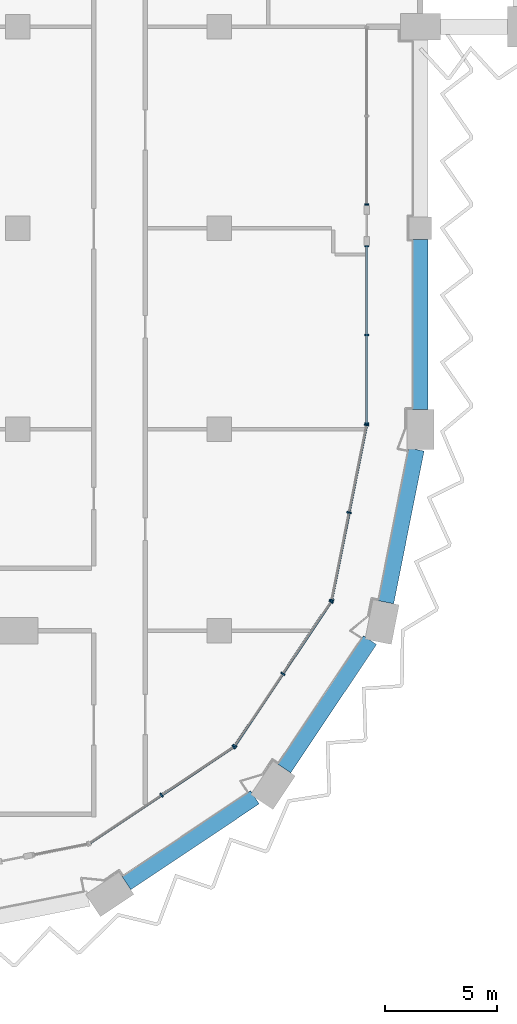
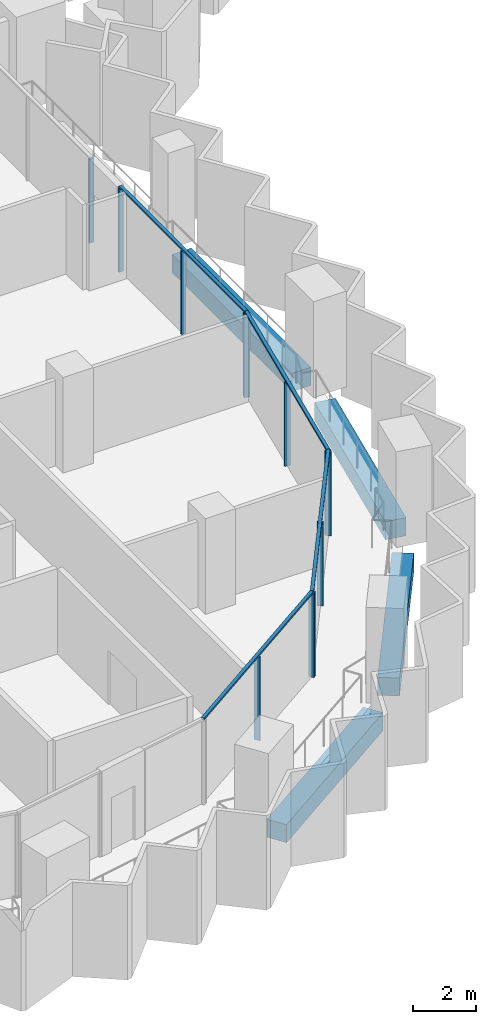
# One storey, part 3 of 17: 16 members, 4 beams, 5 elements without a shape of their own.
"""IFC4 building model written with IfcOpenShell, lengths in metres."""

from ifc_helpers import new_model, si_unit, direction, frame, origin, origin_2d, place, context, subcontext, project, spatial, rectangle, extrude, material, material_profile, profile_set, type_object, element, aggregate, save


model = new_model("IFC4")

# Units and contexts
model_context = context("Model", 3, precision=1e-05, world=origin(), true_north=direction((0.0, 1.0)))
body_context = subcontext(model_context, "Body", "Model", "MODEL_VIEW")
ifc_project = project(units=[si_unit("LENGTHUNIT", "METRE"), si_unit("AREAUNIT", "SQUARE_METRE"), si_unit("VOLUMEUNIT", "CUBIC_METRE"), si_unit("PLANEANGLEUNIT", "RADIAN"), si_unit("MASSUNIT", "GRAM", prefix="KILO")], contexts=[model_context])

# Site, building, storey
site_placement = place(None, origin())
site = spatial("IfcSite", under=ifc_project, at=site_placement, CompositionType="ELEMENT")
building_placement = place(site_placement, origin())
building = spatial("IfcBuilding", under=site, at=building_placement, Name="Hunhe Ridgeline Campus", CompositionType="ELEMENT")
storey_placement = place(building_placement, frame((0.0, 0.0, 212.39990234375)))
storey = spatial("IfcBuildingStorey", under=building, at=storey_placement, Name="L54", CompositionType="ELEMENT", Elevation=212.39990234375)

# Curtain wall, members
ifc_material_1 = material(Name="Aluminium 6063", Category="aluminium")
curtain_wall_type_1 = type_object("IfcCurtainWallType", Name="Curtain wall CW-1", PredefinedType="NOTDEFINED", material=ifc_material_1)
curtain_wall_1_placement = place(storey_placement, origin())
curtain_wall_1 = element("IfcCurtainWall", 1, at=curtain_wall_1_placement, inside=storey, type_object=curtain_wall_type_1, Name="Curtain wall 11", PredefinedType="NOTDEFINED")
ifc_material_profile_1 = material_profile(ifc_material_1, rectangle(XDim=0.159912109375, YDim=0.06005859375, at=origin_2d()))
ifc_profile_set_1 = profile_set([ifc_material_profile_1], Name="Aluminium 6063")
member_type_1 = type_object("IfcMemberType", Name="CW-1 aluminium mullion", PredefinedType="MULLION", material=ifc_profile_set_1)
member_1_placement = place(storey_placement, frame((42.59912109375, 36.266357421875, 0.0), z_axis=(0.0, 0.0, 1.0), x_axis=(-0.999999999978, 6.639948e-06, 0.0)))
member_1 = element("IfcMember", 2, at=member_1_placement, type_object=member_type_1, Name="CW-1 mullion 1", PredefinedType="MULLION", context=body_context, shape_type="SweptSolid", body=[
    extrude(rectangle(XDim=0.159912109375, YDim=0.06005859375, at=origin_2d()), origin(), (0.0, 0.0, 1.0), 3.239990234375),
])
member_2_placement = place(storey_placement, frame((42.59912109375, 40.2275390625, 0.0), z_axis=(0.0, 0.0, 1.0), x_axis=(-0.999999999978, 6.639948e-06, 0.0)))
member_2 = element("IfcMember", 3, at=member_2_placement, type_object=member_type_1, Name="CW-1 mullion 2", PredefinedType="MULLION", context=body_context, shape_type="SweptSolid", body=[
    extrude(rectangle(XDim=0.159912109375, YDim=0.06005859375, at=origin_2d()), origin(), (0.0, 0.0, 1.0), 3.239990234375),
])
member_3_placement = place(storey_placement, frame((42.59912109375, 44.1884765625, 0.0), z_axis=(0.0, 0.0, 1.0), x_axis=(-0.999999999978, 6.639948e-06, 0.0)))
member_3 = element("IfcMember", 4, at=member_3_placement, type_object=member_type_1, Name="CW-1 mullion 3", PredefinedType="MULLION", context=body_context, shape_type="SweptSolid", body=[
    extrude(rectangle(XDim=0.159912109375, YDim=0.06005859375, at=origin_2d()), origin(), (0.0, 0.0, 1.0), 3.239990234375),
])

# Curtain wall, member
curtain_wall_2_placement = place(storey_placement, origin())
curtain_wall_2 = element("IfcCurtainWall", 5, at=curtain_wall_2_placement, inside=storey, type_object=curtain_wall_type_1, Name="Curtain wall 12", PredefinedType="NOTDEFINED")
member_4_placement = place(storey_placement, frame((42.59912109375, 46.048583984375, 0.0), z_axis=(0.0, 0.0, 1.0), x_axis=(-0.999999999978, 6.639948e-06, 0.0)))
member_4 = element("IfcMember", 6, at=member_4_placement, type_object=member_type_1, Name="CW-1 mullion 1", PredefinedType="MULLION", context=body_context, shape_type="SweptSolid", body=[
    extrude(rectangle(XDim=0.159912109375, YDim=0.06005859375, at=origin_2d()), origin(), (0.0, 0.0, 1.0), 3.239990234375),
])
aggregate(curtain_wall_2, [member_4])

# Member
ifc_material_profile_2 = material_profile(ifc_material_1, rectangle(XDim=0.1201171875, YDim=0.06005859375, at=origin_2d()))
ifc_profile_set_2 = profile_set([ifc_material_profile_2], Name="Aluminium 6063")
member_type_2 = type_object("IfcMemberType", Name="CW-1 aluminium transom", PredefinedType="USERDEFINED", material=ifc_profile_set_2)
member_5_placement = place(storey_placement, frame((42.59912109375, 36.236572265625, 3.27001953125), z_axis=(0.0, 1.0, 0.0), x_axis=(-1.0, 0.0, 0.0)))
member_5 = element("IfcMember", 7, at=member_5_placement, type_object=member_type_2, Name="CW-1 transom 1", ObjectType="TRANSOM", PredefinedType="USERDEFINED", context=body_context, shape_type="SweptSolid", body=[
    extrude(rectangle(XDim=0.1201171875, YDim=0.06005859375, at=origin_2d()), origin(), (0.0, 0.0, 1.0), 7.98193359375),
])

aggregate(curtain_wall_1, [member_5, member_1, member_2, member_3])

# Curtain wall, members
curtain_wall_type_2 = type_object("IfcCurtainWallType", Name="Curtain wall CW-5", PredefinedType="NOTDEFINED", material=ifc_material_1)
curtain_wall_3_placement = place(storey_placement, origin())
curtain_wall_3 = element("IfcCurtainWall", 8, at=curtain_wall_3_placement, inside=storey, type_object=curtain_wall_type_2, Name="Curtain wall 08", PredefinedType="NOTDEFINED")
ifc_material_profile_3 = material_profile(ifc_material_1, rectangle(XDim=0.199951171875, YDim=0.070068359375, at=origin_2d()))
ifc_profile_set_3 = profile_set([ifc_material_profile_3], Name="Aluminium 6063")
member_type_3 = type_object("IfcMemberType", Name="CW-5 aluminium mullion", PredefinedType="MULLION", material=ifc_profile_set_3)
member_6_placement = place(storey_placement, frame((33.42626953125, 19.647705078125, 0.0), z_axis=(0.0, 0.0, 1.0), x_axis=(-0.555570274596, 0.831469584522, 0.0)))
member_6 = element("IfcMember", 9, at=member_6_placement, type_object=member_type_3, Name="CW-5 mullion 2", PredefinedType="MULLION", context=body_context, shape_type="SweptSolid", body=[
    extrude(rectangle(XDim=0.199951171875, YDim=0.070068359375, at=origin_2d()), origin(), (0.0, 0.0, 1.0), 3.22998046875),
])
member_7_placement = place(storey_placement, frame((36.649658203125, 21.8017578125, 0.0), z_axis=(0.0, 0.0, 1.0), x_axis=(-0.555570274596, 0.831469584522, 0.0)))
member_7 = element("IfcMember", 10, at=member_7_placement, type_object=member_type_3, Name="CW-5 mullion 3", PredefinedType="MULLION", context=body_context, shape_type="SweptSolid", body=[
    extrude(rectangle(XDim=0.199951171875, YDim=0.070068359375, at=origin_2d()), origin(), (0.0, 0.0, 1.0), 3.22998046875),
])

curtain_wall_4_placement = place(storey_placement, origin())
curtain_wall_4 = element("IfcCurtainWall", 11, at=curtain_wall_4_placement, inside=storey, type_object=curtain_wall_type_2, Name="Curtain wall 09", PredefinedType="NOTDEFINED")
member_8_placement = place(storey_placement, frame((36.6982421875, 21.850341796875, 0.0), z_axis=(0.0, 0.0, 1.0), x_axis=(-0.831469584522, 0.555570274596, 0.0)))
member_8 = element("IfcMember", 12, at=member_8_placement, type_object=member_type_3, Name="CW-5 mullion 1", PredefinedType="MULLION", context=body_context, shape_type="SweptSolid", body=[
    extrude(rectangle(XDim=0.199951171875, YDim=0.070068359375, at=origin_2d()), origin(), (0.0, 0.0, 1.0), 3.22998046875),
])
member_9_placement = place(storey_placement, frame((38.852294921875, 25.07373046875, 0.0), z_axis=(0.0, 0.0, 1.0), x_axis=(-0.831469584522, 0.555570274596, 0.0)))
member_9 = element("IfcMember", 13, at=member_9_placement, type_object=member_type_3, Name="CW-5 mullion 2", PredefinedType="MULLION", context=body_context, shape_type="SweptSolid", body=[
    extrude(rectangle(XDim=0.199951171875, YDim=0.070068359375, at=origin_2d()), origin(), (0.0, 0.0, 1.0), 3.22998046875),
])
member_10_placement = place(storey_placement, frame((41.006103515625, 28.29736328125, 0.0), z_axis=(0.0, 0.0, 1.0), x_axis=(-0.831469584522, 0.555570274596, 0.0)))
member_10 = element("IfcMember", 14, at=member_10_placement, type_object=member_type_3, Name="CW-5 mullion 3", PredefinedType="MULLION", context=body_context, shape_type="SweptSolid", body=[
    extrude(rectangle(XDim=0.199951171875, YDim=0.070068359375, at=origin_2d()), origin(), (0.0, 0.0, 1.0), 3.22998046875),
])

curtain_wall_5_placement = place(storey_placement, origin())
curtain_wall_5 = element("IfcCurtainWall", 15, at=curtain_wall_5_placement, inside=storey, type_object=curtain_wall_type_2, Name="Curtain wall 10", PredefinedType="NOTDEFINED")
member_11_placement = place(storey_placement, frame((41.032470703125, 28.36083984375, 0.0), z_axis=(0.0, 0.0, 1.0), x_axis=(-0.980785284939, 0.195090299215, 0.0)))
member_11 = element("IfcMember", 16, at=member_11_placement, type_object=member_type_3, Name="CW-5 mullion 1", PredefinedType="MULLION", context=body_context, shape_type="SweptSolid", body=[
    extrude(rectangle(XDim=0.199951171875, YDim=0.070068359375, at=origin_2d()), origin(), (0.0, 0.0, 1.0), 3.22998046875),
])
member_12_placement = place(storey_placement, frame((41.812255859375, 32.281494140625, 0.0), z_axis=(0.0, 0.0, 1.0), x_axis=(-0.980785284939, 0.195090299215, 0.0)))
member_12 = element("IfcMember", 17, at=member_12_placement, type_object=member_type_3, Name="CW-5 mullion 2", PredefinedType="MULLION", context=body_context, shape_type="SweptSolid", body=[
    extrude(rectangle(XDim=0.199951171875, YDim=0.070068359375, at=origin_2d()), origin(), (0.0, 0.0, 1.0), 3.22998046875),
])
member_13_placement = place(storey_placement, frame((42.59228515625, 36.2021484375, 0.0), z_axis=(0.0, 0.0, 1.0), x_axis=(-0.980785284939, 0.195090299215, 0.0)))
member_13 = element("IfcMember", 18, at=member_13_placement, type_object=member_type_3, Name="CW-5 mullion 3", PredefinedType="MULLION", context=body_context, shape_type="SweptSolid", body=[
    extrude(rectangle(XDim=0.199951171875, YDim=0.070068359375, at=origin_2d()), origin(), (0.0, 0.0, 1.0), 3.22998046875),
])

# Member
ifc_material_profile_4 = material_profile(ifc_material_1, rectangle(XDim=0.1201171875, YDim=0.070068359375, at=origin_2d()))
ifc_profile_set_4 = profile_set([ifc_material_profile_4], Name="Aluminium 6063")
member_type_4 = type_object("IfcMemberType", Name="CW-5 aluminium transom", PredefinedType="USERDEFINED", material=ifc_profile_set_4)
member_14_placement = place(storey_placement, frame((30.173583984375, 17.474365234375, 3.26513671875), z_axis=(0.831473763475, 0.5555640203, 0.0), x_axis=(-0.5555640203, 0.831473763475, 0.0)))
member_14 = element("IfcMember", 19, at=member_14_placement, type_object=member_type_4, Name="CW-5 transom 1", ObjectType="TRANSOM", PredefinedType="USERDEFINED", context=body_context, shape_type="SweptSolid", body=[
    extrude(rectangle(XDim=0.1201171875, YDim=0.070068359375, at=origin_2d()), origin(), (0.0, 0.0, 1.0), 7.823974609375),
])

aggregate(curtain_wall_3, [member_14, member_6, member_7])

member_15_placement = place(storey_placement, frame((36.678955078125, 21.821044921875, 3.26513671875), z_axis=(0.5555640203, 0.831473763475, 0.0), x_axis=(-0.831473763475, 0.5555640203, 0.0)))
member_15 = element("IfcMember", 20, at=member_15_placement, type_object=member_type_4, Name="CW-5 transom 1", ObjectType="TRANSOM", PredefinedType="USERDEFINED", context=body_context, shape_type="SweptSolid", body=[
    extrude(rectangle(XDim=0.1201171875, YDim=0.070068359375, at=origin_2d()), origin(), (0.0, 0.0, 1.0), 7.823974609375),
])

aggregate(curtain_wall_4, [member_15, member_8, member_9, member_10])

member_16_placement = place(storey_placement, frame((41.025634765625, 28.326416015625, 3.26513671875), z_axis=(0.195097290093, 0.980783894341, 0.0), x_axis=(-0.980783894341, 0.195097290093, 0.0)))
member_16 = element("IfcMember", 21, at=member_16_placement, type_object=member_type_4, Name="CW-5 transom 1", ObjectType="TRANSOM", PredefinedType="USERDEFINED", context=body_context, shape_type="SweptSolid", body=[
    extrude(rectangle(XDim=0.1201171875, YDim=0.070068359375, at=origin_2d()), origin(), (0.0, 0.0, 1.0), 8.065185546875),
])

aggregate(curtain_wall_5, [member_16, member_11, member_12, member_13])

# Beams
ifc_material_2 = material(Name="Concrete C50", Category="concrete")
ifc_material_profile_5 = material_profile(ifc_material_2, rectangle(XDim=0.699951171875, YDim=0.699951171875, at=origin_2d()))
ifc_profile_set_5 = profile_set([ifc_material_profile_5], Name="Concrete C50")
beam_type = type_object("IfcBeamType", Name="RC spandrel beam 700x700 Concrete C50", PredefinedType="SPANDREL", material=ifc_profile_set_5)
for number, where, z_axis, x_axis, name in (
    (22, (31.858642578125, 15.712646484375, -0.599853515625), (0.831467796868, 0.55557295, 0.0), (-0.55557295, 0.831467796868, 0.0), "Spandrel beam B3-6 L54"),
    (23, (38.909912109375, 20.83837890625, -0.599853515625), (0.55557295, 0.831467796868, 0.0), (-0.831467796868, 0.55557295, 0.0), "Spandrel beam B3-7 L54"),
):
    element("IfcBeam", number, at=place(storey_placement, frame(where, z_axis=z_axis, x_axis=x_axis)), inside=storey, type_object=beam_type, Name=name, PredefinedType="SPANDREL", context=body_context, shape_type="SweptSolid", body=[
        extrude(rectangle(XDim=0.699951171875, YDim=0.699951171875, at=origin_2d()), origin(), (0.0, 0.0, 1.0), 6.905029296875),
    ])
beam_1_placement = place(storey_placement, frame((43.462890625, 28.272216796875, -0.599853515625), z_axis=(0.195090923217, 0.980785160817, 0.0), x_axis=(-0.980785160817, 0.195090923217, 0.0)))
element("IfcBeam", 24, at=beam_1_placement, inside=storey, type_object=beam_type, Name="Spandrel beam B3-8 L54", PredefinedType="SPANDREL", context=body_context, shape_type="SweptSolid", body=[
    extrude(rectangle(XDim=0.699951171875, YDim=0.699951171875, at=origin_2d()), origin(), (0.0, 0.0, 1.0), 6.961669921875),
])
beam_2_placement = place(storey_placement, frame((45.0, 36.89990234375, -0.599853515625), z_axis=(0.0, 1.0, 0.0), x_axis=(-1.0, 0.0, 0.0)))
element("IfcBeam", 25, at=beam_2_placement, inside=storey, type_object=beam_type, Name="Spandrel beam B3-9 L54", PredefinedType="SPANDREL", context=body_context, shape_type="SweptSolid", body=[
    extrude(rectangle(XDim=0.699951171875, YDim=0.699951171875, at=origin_2d()), origin(), (0.0, 0.0, 1.0), 7.60009765625),
])

save(model, "model.ifc")
